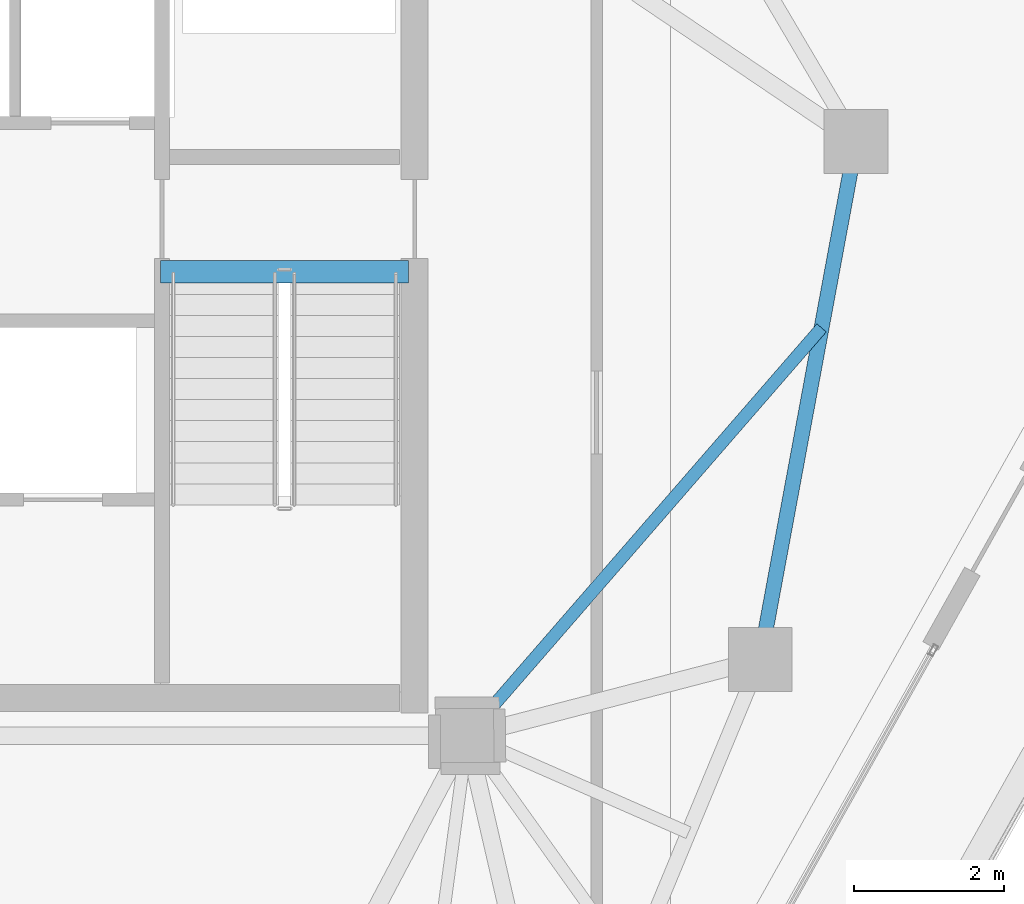
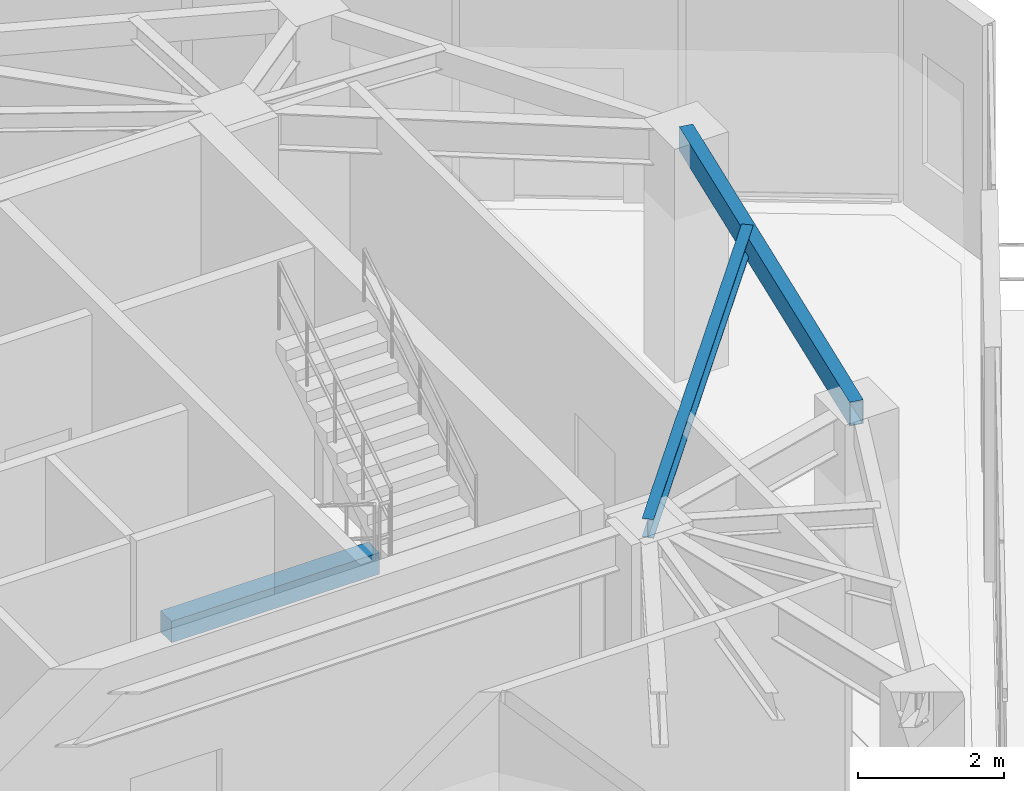
# One storey, part 11 of 20: 3 beams.
"""IFC4 building model written with IfcOpenShell, lengths in metres."""

from ifc_helpers import new_model, si_unit, direction, frame, origin, origin_2d, place, context, subcontext, project, spatial, rectangle, hollow_rectangle, i_section, extrude, material, material_profile, profile_set, type_object, element, save


model = new_model("IFC4")

# Units and contexts
model_context = context("Model", 3, precision=1e-05, world=origin(), true_north=direction((0.0, 1.0)))
body_context = subcontext(model_context, "Body", "Model", "MODEL_VIEW")
ifc_project = project(units=[si_unit("LENGTHUNIT", "METRE"), si_unit("AREAUNIT", "SQUARE_METRE"), si_unit("VOLUMEUNIT", "CUBIC_METRE"), si_unit("PLANEANGLEUNIT", "RADIAN"), si_unit("MASSUNIT", "GRAM", prefix="KILO")], contexts=[model_context])

# Site, building, storey
site_placement = place(None, origin())
site = spatial("IfcSite", under=ifc_project, at=site_placement, CompositionType="ELEMENT")
building_placement = place(site_placement, origin())
building = spatial("IfcBuilding", under=site, at=building_placement, Name="Talar Marvaseh", CompositionType="ELEMENT")
storey_placement = place(building_placement, frame((0.0, 0.0, 291.800048828125)))
storey = spatial("IfcBuildingStorey", under=building, at=storey_placement, Name="L78", CompositionType="ELEMENT", Elevation=291.800048828125)

# Beams
ifc_material_1 = material(Name="Concrete C40/50", Category="concrete")
ifc_material_profile_1 = material_profile(ifc_material_1, rectangle(XDim=0.300048828125, YDim=0.360107421875, at=origin_2d()), Name="RC300x360")
ifc_profile_set_1 = profile_set([ifc_material_profile_1], Name="Concrete C40/50")
beam_type_1 = type_object("IfcBeamType", Name="Concrete Stair Landing Trimmer Beam RC300x360", PredefinedType="SPANDREL", material=ifc_profile_set_1)
beam_1_placement = place(storey_placement, frame((29.219970703125, 31.669921875, -0.179931640625), z_axis=(1.0, 0.0, 0.0), x_axis=(0.0, 1.0, 0.0)))
element("IfcBeam", 1, at=beam_1_placement, inside=storey, type_object=beam_type_1, Name="L78 ST-2 Stair Nosing Trimmer Beam", PredefinedType="SPANDREL", context=body_context, shape_type="SweptSolid", body=[
    extrude(rectangle(XDim=0.300048828125, YDim=0.360107421875, at=origin_2d()), origin(), (0.0, 0.0, 1.0), 3.300048828125),
])
ifc_material_2 = material(Name="Steel S355", Category="steel")
ifc_material_profile_2 = material_profile(ifc_material_2, hollow_rectangle(XDim=0.199951171875, YDim=0.39990234375, WallThickness=0.013916015625, at=origin_2d()), Name="RHS400x200x14")
ifc_profile_set_2 = profile_set([ifc_material_profile_2], Name="Steel S355")
beam_type_2 = type_object("IfcBeamType", Name="Zone 3 Perimeter Spandrel Beam RHS400x200x14", PredefinedType="SPANDREL", material=ifc_profile_set_2)
beam_2_placement = place(storey_placement, frame((38.470947265625, 33.406005859375, 3.739990234375), z_axis=(-0.181759950929, -0.983342931148, 0.0), x_axis=(0.983342931148, -0.181759950929, 0.0)))
element("IfcBeam", 2, at=beam_2_placement, inside=storey, type_object=beam_type_2, Name="L78 Zone 3 Perimeter Spandrel Beam RHS400x200x14", PredefinedType="SPANDREL", context=body_context, shape_type="SweptSolid", body=[
    extrude(hollow_rectangle(XDim=0.199951171875, YDim=0.39990234375, WallThickness=0.013916015625, at=origin_2d()), origin(), (0.0, 0.0, 1.0), 7.0087890625),
])
ifc_material_profile_3 = material_profile(ifc_material_2, i_section(OverallWidth=0.166015625, OverallDepth=0.31298828125, WebThickness=0.006591796875, FlangeThickness=0.01123046875, at=origin_2d()), Name="W310x45")
ifc_profile_set_3 = profile_set([ifc_material_profile_3], Name="Steel S355")
beam_type_3 = type_object("IfcBeamType", Name="Zone 3 Secondary Floor Joist W310x45", PredefinedType="JOIST", material=ifc_profile_set_3)
beam_3_placement = place(storey_placement, frame((38.012451171875, 30.9248046875, 3.783447265625), z_axis=(-0.655796743858, -0.754937501218, 0.0), x_axis=(0.754937501218, -0.655796743858, 0.0)))
element("IfcBeam", 3, at=beam_3_placement, inside=storey, type_object=beam_type_3, Name="L78 Zone 3 Secondary Floor Joist W310x45", PredefinedType="JOIST", context=body_context, shape_type="SweptSolid", body=[
    extrude(i_section(OverallWidth=0.166015625, OverallDepth=0.31298828125, WebThickness=0.006591796875, FlangeThickness=0.01123046875, at=origin_2d()), origin(), (0.0, 0.0, 1.0), 7.185791015625),
])

save(model, "model.ifc")
